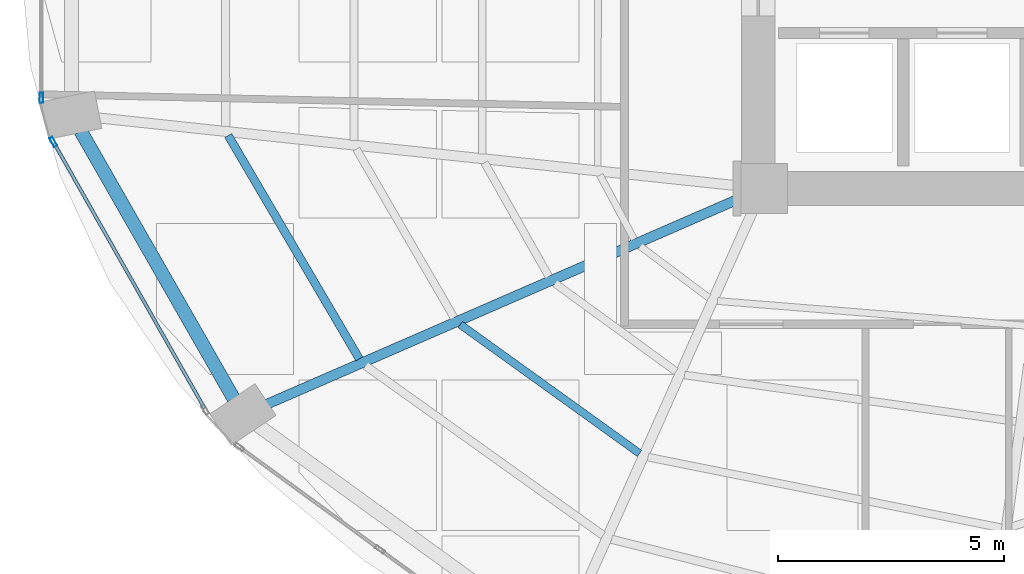
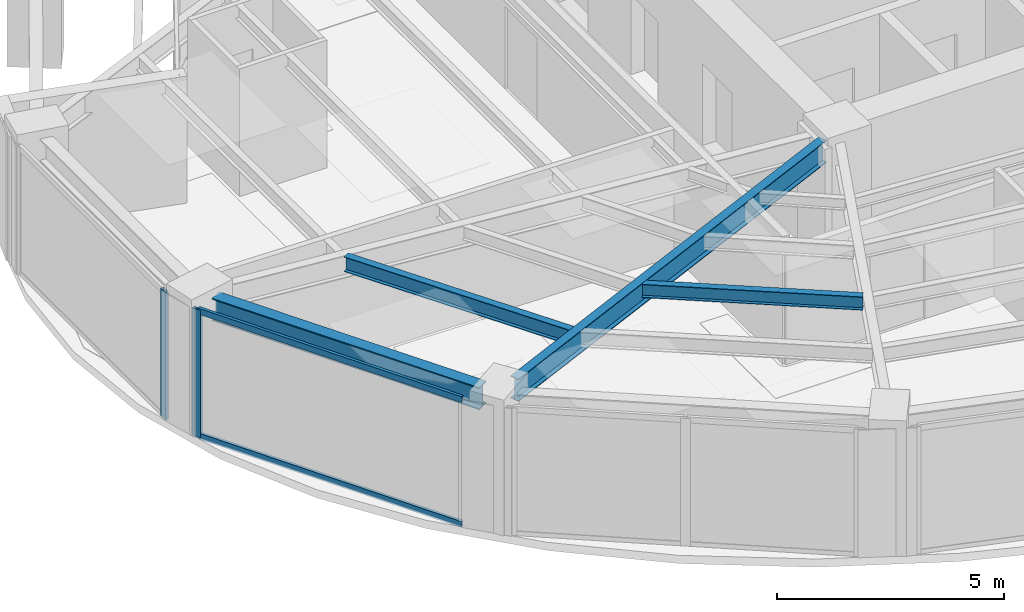
# One storey, part 3 of 24: 4 beams, 4 members, 2 elements without a shape of their own.
"""IFC4 building model written with IfcOpenShell, lengths in metres."""

from ifc_helpers import new_model, si_unit, direction, frame, origin, origin_2d, place, context, subcontext, project, spatial, hollow_rectangle, i_section, extrude, material, layer, layer_set, material_profile, profile_set, type_object, element, aggregate, save


model = new_model("IFC4")

# Units and contexts
model_context = context("Model", 3, precision=1e-05, world=origin(), true_north=direction((0.0, 1.0)))
body_context = subcontext(model_context, "Body", "Model", "MODEL_VIEW")
ifc_project = project(units=[si_unit("LENGTHUNIT", "METRE"), si_unit("AREAUNIT", "SQUARE_METRE"), si_unit("VOLUMEUNIT", "CUBIC_METRE"), si_unit("PLANEANGLEUNIT", "RADIAN"), si_unit("MASSUNIT", "GRAM", prefix="KILO")], contexts=[model_context])

# Site, building, storey
site_placement = place(None, origin())
site = spatial("IfcSite", under=ifc_project, at=site_placement, CompositionType="ELEMENT")
building_placement = place(site_placement, origin())
building = spatial("IfcBuilding", under=site, at=building_placement, Name="Lazwardi Medical Tower", CompositionType="ELEMENT")
storey_placement = place(building_placement, frame((0.0, 0.0, 118.22412109375)))
storey = spatial("IfcBuildingStorey", under=building, at=storey_placement, Name="L30", CompositionType="ELEMENT", Elevation=118.22412109375)

# Beams
ifc_material_1 = material(Name="Steel S355", Category="steel")
ifc_material_profile_1 = material_profile(ifc_material_1, i_section(OverallWidth=0.300048828125, OverallDepth=0.60009765625, WebThickness=0.015380859375, FlangeThickness=0.030029296875, at=origin_2d()), Name="HEB 600")
ifc_profile_set_1 = profile_set([ifc_material_profile_1], Name="Steel S355")
beam_type_1 = type_object("IfcBeamType", Name="BM-RB-Z2", PredefinedType="BEAM", material=ifc_profile_set_1)
beam_1_placement = place(storey_placement, frame((11.3408203125, 21.664306640625, 3.1279296875), z_axis=(0.496637551254, -0.867958030486, 0.0), x_axis=(0.867958030486, 0.496637551254, 0.0)))
element("IfcBeam", 1, at=beam_1_placement, inside=storey, type_object=beam_type_1, Name="Ring beam RB-03 B13 L30", PredefinedType="BEAM", context=body_context, shape_type="SweptSolid", body=[
    extrude(i_section(OverallWidth=0.300048828125, OverallDepth=0.60009765625, WebThickness=0.015380859375, FlangeThickness=0.030029296875, at=origin_2d()), origin(), (0.0, 0.0, 1.0), 6.801025390625),
])
ifc_material_profile_2 = material_profile(ifc_material_1, i_section(OverallWidth=0.219970703125, OverallDepth=0.60009765625, WebThickness=0.011962890625, FlangeThickness=0.01904296875, at=origin_2d()), Name="IPE 600")
ifc_profile_set_2 = profile_set([ifc_material_profile_2], Name="Steel S355")
beam_type_2 = type_object("IfcBeamType", Name="BM-RG-W1", PredefinedType="BEAM", material=ifc_profile_set_2)
beam_2_placement = place(storey_placement, frame((15.4541015625, 15.63671875, 3.1279296875), z_axis=(0.916941336121, 0.399022037127, 0.0), x_axis=(-0.399022037127, 0.916941336121, 0.0)))
element("IfcBeam", 2, at=beam_2_placement, inside=storey, type_object=beam_type_2, Name="Radial girder RG-02 R14 L30", PredefinedType="BEAM", context=body_context, shape_type="SweptSolid", body=[
    extrude(i_section(OverallWidth=0.219970703125, OverallDepth=0.60009765625, WebThickness=0.011962890625, FlangeThickness=0.01904296875, at=origin_2d()), origin(), (0.0, 0.0, 1.0), 11.40234375),
])
ifc_material_profile_3 = material_profile(ifc_material_1, i_section(OverallWidth=0.179931640625, OverallDepth=0.39990234375, WebThickness=0.008544921875, FlangeThickness=0.013427734375, at=origin_2d()), Name="IPE 400")
ifc_profile_set_3 = profile_set([ifc_material_profile_3], Name="Steel S355")
beam_type_3 = type_object("IfcBeamType", Name="BM-SJ-01", PredefinedType="JOIST", material=ifc_profile_set_3)
beam_3_placement = place(storey_placement, frame((14.597900390625, 21.56787109375, 3.227783203125), z_axis=(0.506195045201, -0.862419025888, 0.0), x_axis=(0.862419025888, 0.506195045201, 0.0)))
element("IfcBeam", 3, at=beam_3_placement, inside=storey, type_object=beam_type_3, Name="Secondary joist SJ-01 R1 B13 L30", PredefinedType="JOIST", context=body_context, shape_type="SweptSolid", body=[
    extrude(i_section(OverallWidth=0.179931640625, OverallDepth=0.39990234375, WebThickness=0.008544921875, FlangeThickness=0.013427734375, at=origin_2d()), origin(), (0.0, 0.0, 1.0), 5.71728515625),
])
ifc_material_profile_4 = material_profile(ifc_material_1, i_section(OverallWidth=0.169921875, OverallDepth=0.360107421875, WebThickness=0.008056640625, FlangeThickness=0.0126953125, at=origin_2d()), Name="IPE 360")
ifc_profile_set_4 = profile_set([ifc_material_profile_4], Name="Steel S355")
beam_type_4 = type_object("IfcBeamType", Name="BM-SJ-02", PredefinedType="JOIST", material=ifc_profile_set_4)
beam_4_placement = place(storey_placement, frame((19.721435546875, 17.395263671875, 3.247802734375), z_axis=(0.811888517177, -0.583812500446, 0.0), x_axis=(0.583812500446, 0.811888517177, 0.0)))
element("IfcBeam", 4, at=beam_4_placement, inside=storey, type_object=beam_type_4, Name="Secondary joist SJ-02 R2 B14 L30", PredefinedType="JOIST", context=body_context, shape_type="SweptSolid", body=[
    extrude(i_section(OverallWidth=0.169921875, OverallDepth=0.360107421875, WebThickness=0.008056640625, FlangeThickness=0.0126953125, at=origin_2d()), origin(), (0.0, 0.0, 1.0), 4.874755859375),
])

# Curtain wall, member
ifc_material_2 = material(Name="Anodised bronze aluminium and solar control glazing", Category="aluminium")
ifc_layer = layer(ifc_material_2, 0.195068359375)
ifc_layer_set = layer_set([ifc_layer], Name="Anodised bronze aluminium and solar control glazing")
curtain_wall_type = type_object("IfcCurtainWallType", Name="CW-SYS-03", PredefinedType="NOTDEFINED", material=ifc_layer_set)
curtain_wall_1_placement = place(storey_placement, origin())
curtain_wall_1 = element("IfcCurtainWall", 5, at=curtain_wall_1_placement, inside=storey, type_object=curtain_wall_type, Name="L30 Unitised bronze curtain wall CW-03", PredefinedType="NOTDEFINED")
ifc_material_3 = material(Name="Anodised bronze aluminium", Category="aluminium")
ifc_material_profile_5 = material_profile(ifc_material_3, hollow_rectangle(XDim=0.074951171875, YDim=0.219970703125, WallThickness=0.00390625, at=origin_2d()), Name="ALU-MULLION 220x75x4")
ifc_profile_set_5 = profile_set([ifc_material_profile_5], Name="Anodised bronze aluminium")
member_type_1 = type_object("IfcMemberType", Name="CW-MUL-01", PredefinedType="MULLION", material=ifc_profile_set_5)
member_1_placement = place(storey_placement, frame((10.471923828125, 22.402587890625, 0.0), z_axis=(0.0, 0.0, 1.0), x_axis=(1.0, 0.0, 0.0)))
member_1 = element("IfcMember", 6, at=member_1_placement, type_object=member_type_1, Name="CW-03 mullion 2", PredefinedType="MULLION", context=body_context, shape_type="SweptSolid", body=[
    extrude(hollow_rectangle(XDim=0.074951171875, YDim=0.219970703125, WallThickness=0.00390625, at=origin_2d()), origin(), (0.0, 0.0, 1.0), 3.427978515625),
])
aggregate(curtain_wall_1, [member_1])

# Curtain wall, members
curtain_wall_2_placement = place(storey_placement, origin())
curtain_wall_2 = element("IfcCurtainWall", 7, at=curtain_wall_2_placement, inside=storey, type_object=curtain_wall_type, Name="L30 Unitised bronze curtain wall CW-03", PredefinedType="NOTDEFINED")
member_2_placement = place(storey_placement, frame((10.7373046875, 21.42626953125, 0.0), z_axis=(0.0, 0.0, 1.0), x_axis=(0.869687265712, 0.493603140041, 0.0)))
member_2 = element("IfcMember", 8, at=member_2_placement, type_object=member_type_1, Name="CW-03 mullion 1", PredefinedType="MULLION", context=body_context, shape_type="SweptSolid", body=[
    extrude(hollow_rectangle(XDim=0.074951171875, YDim=0.219970703125, WallThickness=0.00390625, at=origin_2d()), origin(), (0.0, 0.0, 1.0), 3.427978515625),
])
ifc_material_profile_6 = material_profile(ifc_material_3, hollow_rectangle(XDim=0.074951171875, YDim=0.159912109375, WallThickness=0.00390625, at=origin_2d()), Name="ALU-TRANSOM 160x75x4")
ifc_profile_set_6 = profile_set([ifc_material_profile_6], Name="Anodised bronze aluminium")
member_type_2 = type_object("IfcMemberType", Name="CW-TRN-01", PredefinedType="USERDEFINED", material=ifc_profile_set_6)
member_3_placement = place(storey_placement, frame((10.755859375, 21.3935546875, 0.037353515625), z_axis=(0.493614427365, -0.869680859337, 0.0), x_axis=(0.869680859337, 0.493614427365, 0.0)))
member_3 = element("IfcMember", 9, at=member_3_placement, type_object=member_type_2, Name="CW-03 transom 1.1", ObjectType="TRANSOM", PredefinedType="USERDEFINED", context=body_context, shape_type="SweptSolid", body=[
    extrude(hollow_rectangle(XDim=0.074951171875, YDim=0.159912109375, WallThickness=0.00390625, at=origin_2d()), origin(), (0.0, 0.0, 1.0), 6.72314453125),
])
member_4_placement = place(storey_placement, frame((10.755859375, 21.3935546875, 3.390380859375), z_axis=(0.493614427365, -0.869680859337, 0.0), x_axis=(0.869680859337, 0.493614427365, 0.0)))
member_4 = element("IfcMember", 10, at=member_4_placement, type_object=member_type_2, Name="CW-03 transom 1.2", ObjectType="TRANSOM", PredefinedType="USERDEFINED", context=body_context, shape_type="SweptSolid", body=[
    extrude(hollow_rectangle(XDim=0.074951171875, YDim=0.159912109375, WallThickness=0.00390625, at=origin_2d()), origin(), (0.0, 0.0, 1.0), 6.72314453125),
])
aggregate(curtain_wall_2, [member_2, member_3, member_4])

save(model, "model.ifc")
